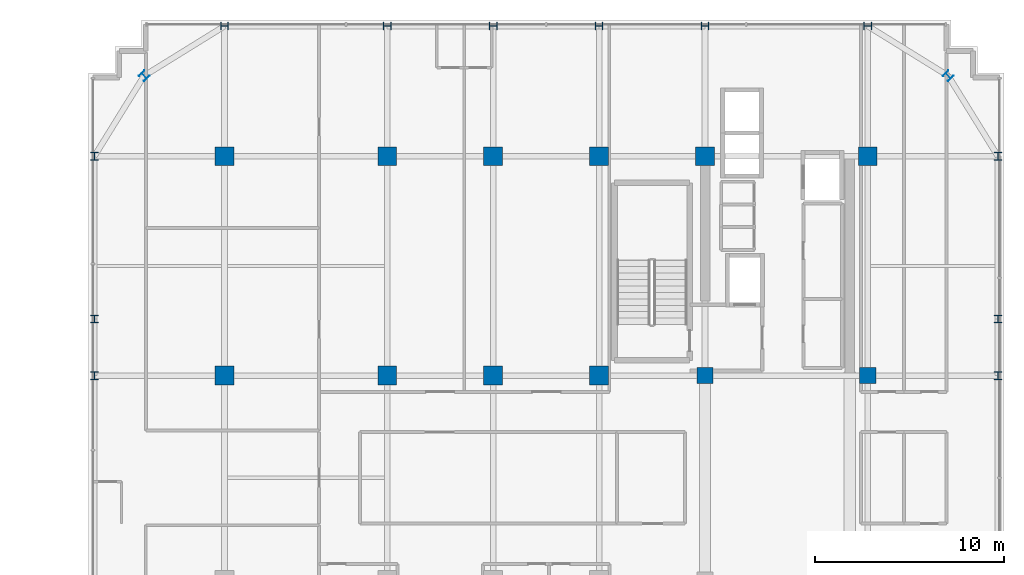
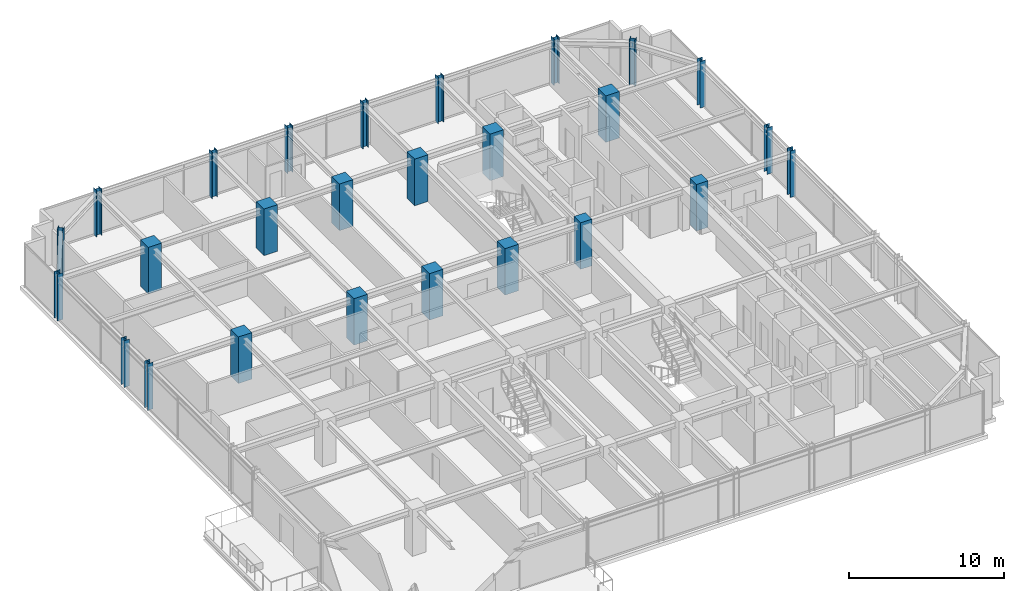
# One storey, part 2 of 35: 26 columns.
"""IFC4 building model written with IfcOpenShell, lengths in metres."""

import ifcopenshell
import ifcopenshell.guid

model = None  # the IFC model being written
_history = None  # IfcOwnerHistory: only IFC2X3 demands one
_inside = {}  # id of a spatial element -> (the spatial element, [elements in it])
_under = {}  # id of a project, library or spatial element -> (it, [spatial elements below it])
_declared = {}  # id of a project -> (the project, [libraries it declares])
_typed = {}  # id of a type object -> (the type object, [elements of that type])
_made_of = {}  # id of a material, layer set ... -> (it, [elements and type objects made of it])


def new_model(schema):
    """Start an empty IFC model of exactly this schema.

    Asked for "IFC4X3", IfcOpenShell would pick the latest addendum, in which some entities
    have other attributes; the version numbers below select the first issue.
    IFC2X3 requires an IfcOwnerHistory on every rooted entity: one is made here for all.
    """
    global model, _history
    if schema == "IFC4X3":
        model = ifcopenshell.file(schema_version=(4, 3, 0, 0))
    else:
        model = ifcopenshell.file(schema=schema)
    _inside.clear()
    _under.clear()
    _declared.clear()
    _typed.clear()
    _made_of.clear()
    _history = None
    if model.schema == "IFC2X3":
        org = make("IfcOrganization", Name="unknown")
        user = make(
            "IfcPersonAndOrganization",
            ThePerson=make("IfcPerson", FamilyName="unknown"),
            TheOrganization=org,
        )
        app = make(
            "IfcApplication",
            ApplicationDeveloper=org,
            Version="unknown",
            ApplicationFullName="unknown",
            ApplicationIdentifier="unknown",
        )
        _history = make(
            "IfcOwnerHistory",
            OwningUser=user,
            OwningApplication=app,
            ChangeAction="ADDED",
            CreationDate=0,
        )
    return model


def make(cls, **values):
    """One entity of the class cls with the attributes given. An attribute that is None is left unset."""
    return model.create_entity(
        cls, **{name: value for name, value in values.items() if value is not None}
    )


def rooted(cls, **values):
    """An entity with a GlobalId (a new one), such as an element, a storey or a relation."""
    return make(cls, GlobalId=ifcopenshell.guid.new(), OwnerHistory=_history, **values)


def si_unit(unit_type, name, prefix=None):
    """IfcSIUnit, for example si_unit("LENGTHUNIT", "METRE", prefix="MILLI")."""
    return make("IfcSIUnit", UnitType=unit_type, Prefix=prefix, Name=name)


def assignment(units):
    """IfcUnitAssignment: the units of a project."""
    return None if units is None else make("IfcUnitAssignment", Units=units)


def point(xyz):
    """IfcCartesianPoint."""
    return None if xyz is None else make("IfcCartesianPoint", Coordinates=xyz)


def direction(xyz):
    """IfcDirection."""
    return None if xyz is None else make("IfcDirection", DirectionRatios=xyz)


def frame(location, z_axis=None, x_axis=None):
    """IfcAxis2Placement3D, a coordinate frame: its origin and axes. An axis left out is left unset."""
    return make(
        "IfcAxis2Placement3D",
        Location=point(location),
        Axis=direction(z_axis),
        RefDirection=direction(x_axis),
    )


def frame_2d(location, x_axis=None):
    """IfcAxis2Placement2D, a coordinate frame in the plane: its origin and x axis."""
    return make(
        "IfcAxis2Placement2D", Location=point(location), RefDirection=direction(x_axis)
    )


def origin():
    """The frame at (0, 0, 0) with its axes left unset."""
    return frame((0.0, 0.0, 0.0))


def origin_2d():
    """The frame at (0, 0) in the plane with its x axis left unset."""
    return frame_2d((0.0, 0.0))


def place(relative_to, where):
    """IfcLocalPlacement: puts the frame where relative to a parent placement (None: the world)."""
    return make(
        "IfcLocalPlacement", PlacementRelTo=relative_to, RelativePlacement=where
    )


def context(
    kind, dimensions, precision=None, world=None, true_north=None, identifier=None
):
    """IfcGeometricRepresentationContext, for example the 3D "Model" context."""
    return make(
        "IfcGeometricRepresentationContext",
        ContextIdentifier=identifier,
        ContextType=kind,
        CoordinateSpaceDimension=dimensions,
        Precision=precision,
        WorldCoordinateSystem=world,
        TrueNorth=true_north,
    )


def subcontext(parent, identifier, kind, view, scale=None):
    """IfcGeometricRepresentationSubContext, for example "Body" below "Model"."""
    return make(
        "IfcGeometricRepresentationSubContext",
        ContextIdentifier=identifier,
        ContextType=kind,
        ParentContext=parent,
        TargetScale=scale,
        TargetView=view,
    )


def project(units=None, contexts=None):
    """IfcProject with its units and contexts."""
    return rooted(
        "IfcProject",
        Name="project",
        RepresentationContexts=contexts,
        UnitsInContext=assignment(units),
    )


def spatial(cls, under=None, at=None, **own):
    """A site, building, storey or space (cls), placed at a placement, below another one or the project."""
    s = rooted(cls, ObjectPlacement=at, **own)
    if under is not None:
        _under.setdefault(under.id(), (under, []))[1].append(s)
    return s


def profile(cls, at=None, kind="AREA", **sizes):
    """A parametric profile (cls). Its sizes go by their IFC names, for example OverallWidth=200.0."""
    return make(cls, ProfileType=kind, Position=at, **sizes)


def rectangle(**sizes):
    """IfcRectangleProfileDef."""
    return profile("IfcRectangleProfileDef", **sizes)


def i_section(**sizes):
    """IfcIShapeProfileDef."""
    return profile("IfcIShapeProfileDef", **sizes)


def extrude(swept, where, along, depth):
    """IfcExtrudedAreaSolid: the profile swept, set in the frame where, extruded along a direction by depth."""
    return make(
        "IfcExtrudedAreaSolid",
        SweptArea=swept,
        Position=where,
        ExtrudedDirection=direction(along),
        Depth=depth,
    )


def shape(context_of_items, identifier, shape_type, items):
    """IfcShapeRepresentation: the items that make up one representation, for example the "Body"."""
    return make(
        "IfcShapeRepresentation",
        ContextOfItems=context_of_items,
        RepresentationIdentifier=identifier,
        RepresentationType=shape_type,
        Items=items,
    )


def source(mapping_origin, context_of_items, identifier, shape_type, items):
    """IfcRepresentationMap: a shape defined once, which mapped items show again and again."""
    return make(
        "IfcRepresentationMap",
        MappingOrigin=mapping_origin,
        MappedRepresentation=shape(context_of_items, identifier, shape_type, items),
    )


def transform(
    local_origin,
    x_axis=None,
    y_axis=None,
    z_axis=None,
    scale=None,
    scale2=None,
    scale3=None,
    uniform=True,
):
    """IfcCartesianTransformationOperator3D, or its non-uniform kind. x_axis, y_axis, z_axis: its Axis1, 2, 3."""
    if uniform:
        return make(
            "IfcCartesianTransformationOperator3D",
            Axis1=direction(x_axis),
            Axis2=direction(y_axis),
            LocalOrigin=point(local_origin),
            Scale=scale,
            Axis3=direction(z_axis),
        )
    return make(
        "IfcCartesianTransformationOperator3DnonUniform",
        Axis1=direction(x_axis),
        Axis2=direction(y_axis),
        LocalOrigin=point(local_origin),
        Scale=scale,
        Axis3=direction(z_axis),
        Scale2=scale2,
        Scale3=scale3,
    )


def mapped(mapping_source, mapping_target):
    """IfcMappedItem: shows the shape of a source again, moved by a transform."""
    return make(
        "IfcMappedItem", MappingSource=mapping_source, MappingTarget=mapping_target
    )


def material(Name=None, Category=None):
    """IfcMaterial."""
    return make("IfcMaterial", Name=Name, Category=Category)


def material_profile(
    of_material, cross_section, Name=None, Category=None, Priority=None
):
    """IfcMaterialProfile: a cross section and its material."""
    return make(
        "IfcMaterialProfile",
        Name=Name,
        Material=of_material,
        Profile=cross_section,
        Priority=Priority,
        Category=Category,
    )


def profile_set(profiles, Name=None, composite=None):
    """IfcMaterialProfileSet."""
    return make(
        "IfcMaterialProfileSet",
        Name=Name,
        MaterialProfiles=profiles,
        CompositeProfile=composite,
    )


def made_of(thing, what):
    """Note that an element or type object is made of a material, layer set ...; save() writes the relation."""
    if what is not None:
        _made_of.setdefault(what.id(), (what, []))[1].append(thing)
    return thing


def type_object(cls, material=None, **own):
    """A type object (cls), such as IfcWallType, which elements share."""
    return made_of(rooted(cls, **own), material)


def element(
    cls,
    number,
    at=None,
    inside=None,
    cuts=None,
    type_object=None,
    material=None,
    context=None,
    identifier="Body",
    shape_type=None,
    held_by="IfcProductDefinitionShape",
    body=None,
    shapes=None,
    **own,
):
    """One element of the class cls, such as IfcWall. Its Tag is "e" and its number.

    at: its placement. inside: the storey or other place that contains it. cuts: it is an
    opening in that element (IfcRelVoidsElement). A single representation is given by context,
    identifier, shape_type and body (its items); several are given by shapes. held_by: the class
    of the entity that holds the representations. save() writes the other relations.
    """
    e = rooted(cls, Tag="e%d" % number, ObjectPlacement=at, **own)
    if body is not None:
        shapes = [shape(context, identifier, shape_type, body)]
    if shapes is not None:
        e.Representation = make(held_by, Representations=shapes)
    if inside is not None:
        _inside.setdefault(inside.id(), (inside, []))[1].append(e)
    if cuts is not None:
        rooted(
            "IfcRelVoidsElement", RelatingBuildingElement=cuts, RelatedOpeningElement=e
        )
    if type_object is not None:
        _typed.setdefault(type_object.id(), (type_object, []))[1].append(e)
    return made_of(e, material)


def aggregate(whole, parts):
    """IfcRelAggregates: a whole, such as a stair, and the parts it consists of."""
    return rooted("IfcRelAggregates", RelatingObject=whole, RelatedObjects=parts)


def save(model, path):
    """Write the relations noted so far, then the file.

    IfcRelAggregates (storeys below a building ...), IfcRelContainedInSpatialStructure (elements
    in a storey), IfcRelDefinesByType, IfcRelAssociatesMaterial and IfcRelDeclares: one each for
    every whole, place, type object, material and project.
    """
    for whole, parts in _under.values():
        aggregate(whole, parts)
    for where, things in _inside.values():
        rooted(
            "IfcRelContainedInSpatialStructure",
            RelatedElements=things,
            RelatingStructure=where,
        )
    for kind, things in _typed.values():
        rooted("IfcRelDefinesByType", RelatedObjects=things, RelatingType=kind)
    for what, things in _made_of.values():
        rooted("IfcRelAssociatesMaterial", RelatedObjects=things, RelatingMaterial=what)
    for by, libraries in _declared.values():
        rooted("IfcRelDeclares", RelatingContext=by, RelatedDefinitions=libraries)
    model.write(path)


model = new_model("IFC4")

# Units and contexts
model_context = context("Model", 3, precision=1e-05, world=origin(), true_north=direction((0.0, 1.0)))
body_context = subcontext(model_context, "Body", "Model", "MODEL_VIEW")
ifc_project = project(units=[si_unit("LENGTHUNIT", "METRE"), si_unit("AREAUNIT", "SQUARE_METRE"), si_unit("VOLUMEUNIT", "CUBIC_METRE"), si_unit("PLANEANGLEUNIT", "RADIAN"), si_unit("MASSUNIT", "GRAM", prefix="KILO")], contexts=[model_context])

# Site, building, storey
site_placement = place(None, origin())
site = spatial("IfcSite", under=ifc_project, at=site_placement, CompositionType="ELEMENT")
building_placement = place(site_placement, origin())
building = spatial("IfcBuilding", under=site, at=building_placement, Name="Nahalor Promenade Grand Hotel", CompositionType="ELEMENT")
storey_placement = place(building_placement, frame((0.0, 0.0, 245.60009765625)))
storey = spatial("IfcBuildingStorey", under=building, at=storey_placement, Name="L63", CompositionType="ELEMENT", Elevation=245.60009765625)

# Columns
ifc_material_1 = material(Name="Concrete B-60 (C50/60)", Category="concrete")
ifc_material_profile_1 = material_profile(ifc_material_1, rectangle(XDim=1.0, YDim=1.0, at=origin_2d()), Name="RC 1000x1000")
ifc_profile_set_1 = profile_set([ifc_material_profile_1], Name="Concrete B-60 (C50/60)")
column_type_1 = type_object("IfcColumnType", Name="Col-RC-1000", PredefinedType="COLUMN", material=ifc_profile_set_1)
shared_shape_1 = source(origin(), body_context, "Body", "SweptSolid", [
    extrude(rectangle(XDim=1.0, YDim=1.0, at=origin_2d()), origin(), (0.0, 0.0, 1.0), 3.65478515625),
])
for number, where, z_axis, x_axis, name in (
    (1, (-17.0, 5.39990234375, 0.0), (0.0, 0.0, 1.0), (1.0, 0.0, 0.0), "COL-L63-I02"),
    (2, (-17.0, 17.0, 0.0), (0.0, 0.0, 1.0), (1.0, 0.0, 0.0), "COL-L63-I03"),
    (3, (-8.39990234375, 5.39990234375, 0.0), (0.0, 0.0, 1.0), (1.0, 0.0, 0.0), "COL-L63-I12"),
    (4, (-8.39990234375, 17.0, 0.0), (0.0, 0.0, 1.0), (1.0, 0.0, 0.0), "COL-L63-I13"),
    (5, (-2.800048828125, 5.39990234375, 0.0), (0.0, 0.0, 1.0), (1.0, 0.0, 0.0), "COL-L63-I22"),
    (6, (-2.800048828125, 17.0, 0.0), (0.0, 0.0, 1.0), (1.0, 0.0, 0.0), "COL-L63-I23"),
    (7, (2.800048828125, 5.39990234375, 0.0), (0.0, 0.0, 1.0), (1.0, 0.0, 0.0), "COL-L63-I32"),
    (8, (2.800048828125, 17.0, 0.0), (0.0, 0.0, 1.0), (1.0, 0.0, 0.0), "COL-L63-I33"),
    (9, (8.39990234375, 17.0, 0.0), (0.0, 0.0, 1.0), (1.0, 0.0, 0.0), "COL-L63-I43"),
    (10, (17.0, 17.0, 0.0), (0.0, 0.0, 1.0), (1.0, 0.0, 0.0), "COL-L63-I53"),
):
    element("IfcColumn", number, at=place(storey_placement, frame(where, z_axis=z_axis, x_axis=x_axis)), inside=storey, type_object=column_type_1, Name=name, PredefinedType="COLUMN", context=body_context, shape_type="MappedRepresentation", body=[
        mapped(shared_shape_1, transform((0.0, 0.0, 0.0), scale=1.0)),
    ])
ifc_material_2 = material(Name="Concrete B-70 (C60/75)", Category="concrete")
ifc_material_profile_2 = material_profile(ifc_material_2, rectangle(XDim=0.85, YDim=0.85, at=origin_2d()), Name="RC 850x850")
ifc_profile_set_2 = profile_set([ifc_material_profile_2], Name="Concrete B-70 (C60/75)")
column_type_2 = type_object("IfcColumnType", Name="Col-Pilaster-850", PredefinedType="PILASTER", material=ifc_profile_set_2)
shared_shape_2 = source(origin(), body_context, "Body", "SweptSolid", [
    extrude(rectangle(XDim=0.85, YDim=0.85, at=origin_2d()), origin(), (0.0, 0.0, 1.0), 3.65478515625),
])
for number, where, z_axis, x_axis, name in (
    (11, (8.39990234375, 5.39990234375, 0.0), (0.0, 0.0, 1.0), (1.0, 0.0, 0.0), "COL-L63-I42"),
    (12, (17.0, 5.39990234375, 0.0), (0.0, 0.0, 1.0), (1.0, 0.0, 0.0), "COL-L63-I52"),
):
    element("IfcColumn", number, at=place(storey_placement, frame(where, z_axis=z_axis, x_axis=x_axis)), inside=storey, type_object=column_type_2, Name=name, PredefinedType="PILASTER", context=body_context, shape_type="MappedRepresentation", body=[
        mapped(shared_shape_2, transform((0.0, 0.0, 0.0), scale=1.0)),
    ])
ifc_material_3 = material(Name="Steel S355JR", Category="steel")
ifc_material_profile_3 = material_profile(ifc_material_3, i_section(OverallWidth=0.401, OverallDepth=0.406, WebThickness=0.0161, FlangeThickness=0.025, at=origin_2d()), Name="HD 400x314")
ifc_profile_set_3 = profile_set([ifc_material_profile_3], Name="Steel S355JR")
column_type_3 = type_object("IfcColumnType", Name="Col-Steel-HD314", PredefinedType="COLUMN", material=ifc_profile_set_3)
shared_shape_3 = source(origin(), body_context, "Body", "SweptSolid", [
    extrude(i_section(OverallWidth=0.401, OverallDepth=0.406, WebThickness=0.0161, FlangeThickness=0.025, at=origin_2d()), origin(), (0.0, 0.0, 1.0), 3.65478515625),
])
for number, where, z_axis, x_axis, name in (
    (13, (-23.8798828125, 5.39990234375, 0.0), (0.0, 0.0, 1.0), (1.0, 0.0, 0.0), "COL-L63-PW-W3"),
    (14, (23.8798828125, 5.39990234375, 0.0), (0.0, 0.0, 1.0), (1.0, 0.0, 0.0), "COL-L63-PW-E3"),
    (15, (-23.8798828125, 8.39990234375, 0.0), (0.0, 0.0, 1.0), (1.0, 0.0, 0.0), "COL-L63-PW-W4"),
    (16, (23.8798828125, 8.39990234375, 0.0), (0.0, 0.0, 1.0), (1.0, 0.0, 0.0), "COL-L63-PW-E4"),
    (17, (-23.8798828125, 17.0, 0.0), (0.0, 0.0, 1.0), (1.0, 0.0, 0.0), "COL-L63-PW-W5"),
    (18, (23.8798828125, 17.0, 0.0), (0.0, 0.0, 1.0), (1.0, 0.0, 0.0), "COL-L63-PW-E5"),
    (19, (-17.0, 23.8798828125, 0.0), (0.0, 0.0, 1.0), (0.0, 1.0, 0.0), "COL-L63-PN-N0"),
    (20, (-8.39990234375, 23.8798828125, 0.0), (0.0, 0.0, 1.0), (0.0, 1.0, 0.0), "COL-L63-PN-N1"),
    (21, (-2.800048828125, 23.8798828125, 0.0), (0.0, 0.0, 1.0), (0.0, 1.0, 0.0), "COL-L63-PN-N2"),
    (22, (2.800048828125, 23.8798828125, 0.0), (0.0, 0.0, 1.0), (0.0, 1.0, 0.0), "COL-L63-PN-N3"),
    (23, (8.39990234375, 23.8798828125, 0.0), (0.0, 0.0, 1.0), (0.0, 1.0, 0.0), "COL-L63-PN-N4"),
    (24, (17.0, 23.8798828125, 0.0), (0.0, 0.0, 1.0), (0.0, 1.0, 0.0), "COL-L63-PN-N5"),
    (25, (-21.25, 21.25, 0.0), (0.0, 0.0, 1.0), (0.707106781187, 0.707106781187, 0.0), "COL-L63-CRN-NW"),
    (26, (21.25, 21.25, 0.0), (0.0, 0.0, 1.0), (0.707106781187, 0.707106781187, 0.0), "COL-L63-CRN-NE"),
):
    element("IfcColumn", number, at=place(storey_placement, frame(where, z_axis=z_axis, x_axis=x_axis)), inside=storey, type_object=column_type_3, Name=name, PredefinedType="COLUMN", context=body_context, shape_type="MappedRepresentation", body=[
        mapped(shared_shape_3, transform((0.0, 0.0, 0.0), scale=1.0)),
    ])

save(model, "model.ifc")
